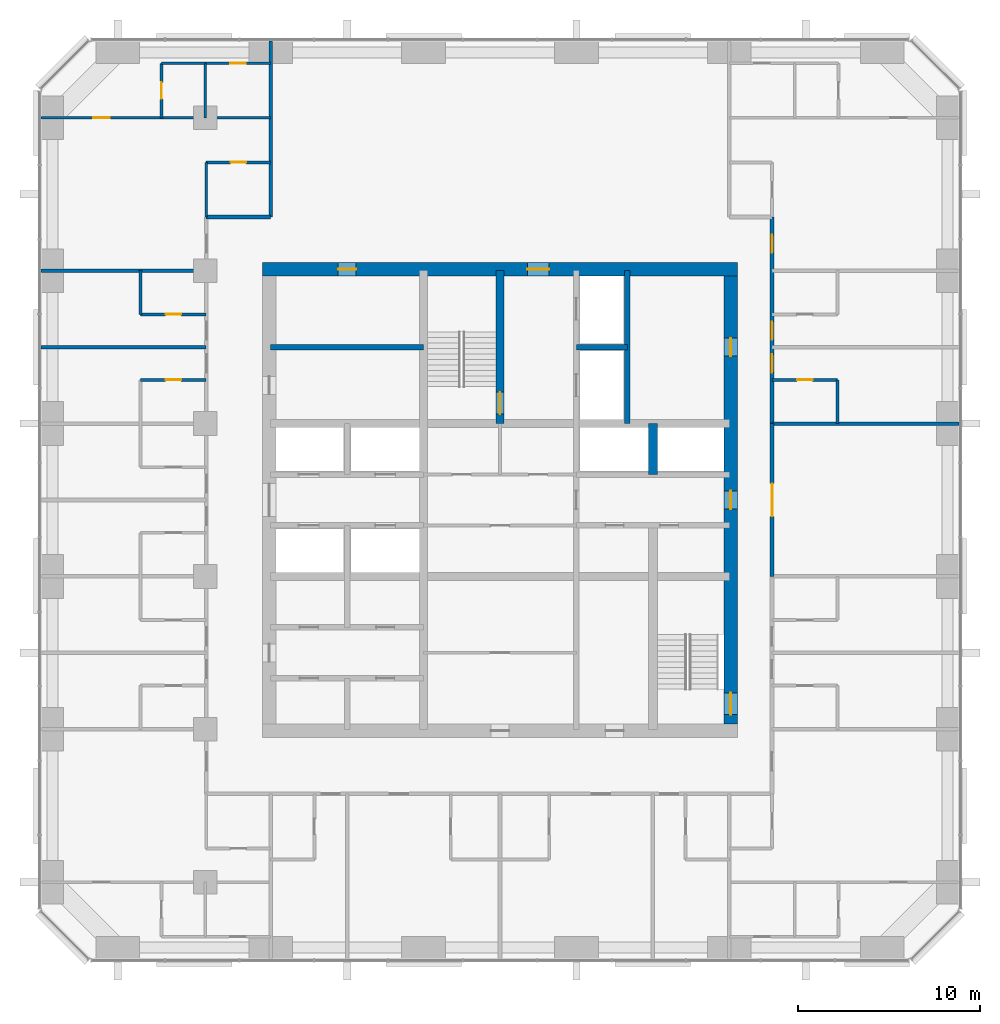
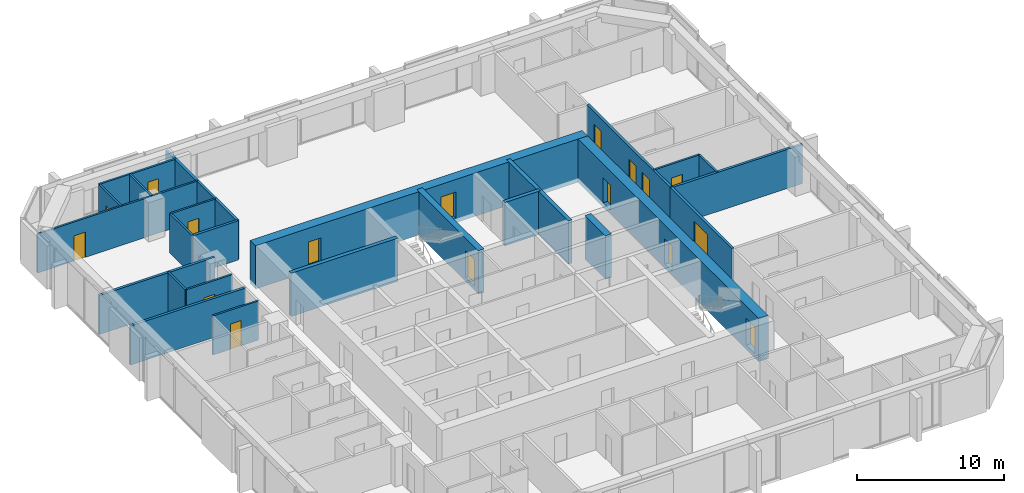
# One storey, part 11 of 13: 26 walls, 17 doors, 17 openings.
"""IFC4 building model written with IfcOpenShell, lengths in metres."""

from ifc_helpers import new_model, si_unit, direction, frame, frame_2d, origin, place, context, subcontext, project, spatial, rectangle, extrude, material, layer, layer_set, type_object, element, fill, save


model = new_model("IFC4")

# Units and contexts
model_context = context("Model", 3, precision=1e-05, world=origin(), true_north=direction((0.0, 1.0)))
body_context = subcontext(model_context, "Body", "Model", "MODEL_VIEW")
ifc_project = project(units=[si_unit("LENGTHUNIT", "METRE"), si_unit("AREAUNIT", "SQUARE_METRE"), si_unit("VOLUMEUNIT", "CUBIC_METRE"), si_unit("PLANEANGLEUNIT", "RADIAN"), si_unit("MASSUNIT", "GRAM", prefix="KILO")], contexts=[model_context])

# Site, building, storey
site_placement = place(None, origin())
site = spatial("IfcSite", under=ifc_project, at=site_placement, CompositionType="ELEMENT")
building_placement = place(site_placement, origin())
building = spatial("IfcBuilding", under=site, at=building_placement, Name="Dunama Terrace Hotel", CompositionType="ELEMENT")
storey_placement = place(building_placement, frame((0.0, 0.0, 166.199951171875)))
storey = spatial("IfcBuildingStorey", under=building, at=storey_placement, Name="L42", CompositionType="ELEMENT", Elevation=166.199951171875)

# Walls
ifc_material_1 = material(Name="Gypsum board partition", Category="masonry")
ifc_layer_1 = layer(ifc_material_1, 0.14990234375)
ifc_layer_set_1 = layer_set([ifc_layer_1], Name="Bathroom partition 150")
wall_type_1 = type_object("IfcWallType", Name="Bathroom partition 150", PredefinedType="PARTITIONING", material=ifc_layer_set_1)
wall_1_placement = place(storey_placement, frame((9.64990234375, 39.60009765625, 0.0), z_axis=(0.0, 0.0, 1.0), x_axis=(0.0, 1.0, 0.0)))
element("IfcWall", 1, at=wall_1_placement, inside=storey, type_object=wall_type_1, Name="Bathroom partition 150 L42", PredefinedType="PARTITIONING", context=body_context, shape_type="SweptSolid", body=[
    extrude(rectangle(XDim=2.39990234375, YDim=0.14990234375, at=frame_2d((1.199951171875, 0.0))), origin(), (0.0, 0.0, 1.0), 3.25),
])
wall_2_placement = place(storey_placement, frame((13.25, 44.949951171875, 0.0), z_axis=(0.0, 0.0, 1.0), x_axis=(0.0, 1.0, 0.0)))
element("IfcWall", 2, at=wall_2_placement, inside=storey, type_object=wall_type_1, Name="Bathroom partition 150 L42", PredefinedType="PARTITIONING", context=body_context, shape_type="SweptSolid", body=[
    extrude(rectangle(XDim=3.0, YDim=0.14990234375, at=frame_2d((1.5, 0.0))), origin(), (0.0, 0.0, 1.0), 3.25),
])
wall_3_placement = place(storey_placement, frame((47.949951171875, 33.60009765625, 0.0), z_axis=(0.0, 0.0, 1.0), x_axis=(0.0, 1.0, 0.0)))
element("IfcWall", 3, at=wall_3_placement, inside=storey, type_object=wall_type_1, Name="Bathroom partition 150 L42", PredefinedType="PARTITIONING", context=body_context, shape_type="SweptSolid", body=[
    extrude(rectangle(XDim=2.39990234375, YDim=0.14990234375, at=frame_2d((1.199951171875, 0.0))), origin(), (0.0, 0.0, 1.0), 3.25),
])

# Wall, opening, door
wall_4_placement = place(storey_placement, frame((9.64990234375, 36.0, 0.0), z_axis=(0.0, 0.0, 1.0), x_axis=(1.0, 0.0, 0.0)))
wall_4 = element("IfcWall", 4, at=wall_4_placement, inside=storey, type_object=wall_type_1, Name="Bathroom partition 150 L42", PredefinedType="PARTITIONING", context=body_context, shape_type="SweptSolid", body=[
    extrude(rectangle(XDim=3.60009765625, YDim=0.14990234375, at=frame_2d((1.800048828125, 0.0))), origin(), (0.0, 0.0, 1.0), 3.25),
])
opening_1_placement = place(wall_4_placement, frame((1.375, 0.0, 0.0)))
opening_1 = element("IfcOpeningElement", 5, at=opening_1_placement, cuts=wall_4, Name="Opening L42-44-035", PredefinedType="OPENING", context=body_context, shape_type="SweptSolid", body=[
    extrude(rectangle(XDim=0.85009765625, YDim=2.10009765625, at=frame_2d((0.425048828125, 1.050048828125))), frame((0.0, 0.0849609375, 0.0), z_axis=(0.0, -1.0, 0.0), x_axis=(1.0, 0.0, 0.0)), (0.0, 0.0, 1.0), 0.169921875),
])
ifc_material_2 = material(Name="Timber door with steel frame", Category="steel")
door_type_1 = type_object("IfcDoorType", Name="Bathroom door 850", OperationType="SINGLE_SWING_LEFT", PredefinedType="DOOR", material=ifc_material_2)
door_1_placement = place(opening_1_placement, frame((0.85009765625, 0.0, 0.0), z_axis=(0.0, 0.0, 1.0), x_axis=(-1.0, 0.0, 0.0)))
door_1 = element("IfcDoor", 6, at=door_1_placement, inside=storey, type_object=door_type_1, Name="Door to en-suite bathroom L42-44-035, type D2", OperationType="SINGLE_SWING_LEFT", OverallHeight=2.10009765625, OverallWidth=0.85009765625, PredefinedType="DOOR", context=body_context, shape_type="SweptSolid", body=[
    extrude(rectangle(XDim=0.85009765625, YDim=2.10009765625, at=frame_2d((0.425048828125, 1.050048828125))), frame((0.0, 0.025146484375, 0.0), z_axis=(0.0, -1.0, 0.0), x_axis=(1.0, 0.0, 0.0)), (0.0, 0.0, 1.0), 0.050048828125),
])
fill(opening_1, door_1)

wall_5_placement = place(storey_placement, frame((44.35009765625, 36.0, 0.0), z_axis=(0.0, 0.0, 1.0), x_axis=(1.0, 0.0, 0.0)))
wall_5 = element("IfcWall", 7, at=wall_5_placement, inside=storey, type_object=wall_type_1, Name="Bathroom partition 150 L42", PredefinedType="PARTITIONING", context=body_context, shape_type="SweptSolid", body=[
    extrude(rectangle(XDim=3.599853515625, YDim=0.14990234375, at=frame_2d((1.7998046875, 0.0))), origin(), (0.0, 0.0, 1.0), 3.25),
])
opening_2_placement = place(wall_5_placement, frame((1.375, 0.0, 0.0)))
opening_2 = element("IfcOpeningElement", 8, at=opening_2_placement, cuts=wall_5, Name="Opening L42-44-023", PredefinedType="OPENING", context=body_context, shape_type="SweptSolid", body=[
    extrude(rectangle(XDim=0.85009765625, YDim=2.10009765625, at=frame_2d((0.425048828125, 1.050048828125))), frame((0.0, 0.0849609375, 0.0), z_axis=(0.0, -1.0, 0.0), x_axis=(1.0, 0.0, 0.0)), (0.0, 0.0, 1.0), 0.169921875),
])
door_2_placement = place(opening_2_placement, frame((0.85009765625, 0.0, 0.0), z_axis=(0.0, 0.0, 1.0), x_axis=(-1.0, 0.0, 0.0)))
door_2 = element("IfcDoor", 9, at=door_2_placement, inside=storey, type_object=door_type_1, Name="Door to en-suite bathroom L42-44-023, type D2", OperationType="SINGLE_SWING_RIGHT", OverallHeight=2.10009765625, OverallWidth=0.85009765625, PredefinedType="DOOR", context=body_context, shape_type="SweptSolid", body=[
    extrude(rectangle(XDim=0.85009765625, YDim=2.10009765625, at=frame_2d((0.425048828125, 1.050048828125))), frame((0.0, 0.025146484375, 0.0), z_axis=(0.0, -1.0, 0.0), x_axis=(1.0, 0.0, 0.0)), (0.0, 0.0, 1.0), 0.050048828125),
])
fill(opening_2, door_2)

wall_6_placement = place(storey_placement, frame((9.64990234375, 39.60009765625, 0.0), z_axis=(0.0, 0.0, 1.0), x_axis=(1.0, 0.0, 0.0)))
wall_6 = element("IfcWall", 10, at=wall_6_placement, inside=storey, type_object=wall_type_1, Name="Bathroom partition 150 L42", PredefinedType="PARTITIONING", context=body_context, shape_type="SweptSolid", body=[
    extrude(rectangle(XDim=3.60009765625, YDim=0.14990234375, at=frame_2d((1.800048828125, 0.0))), origin(), (0.0, 0.0, 1.0), 3.25),
])
opening_3_placement = place(wall_6_placement, frame((1.375, 0.0, 0.0)))
opening_3 = element("IfcOpeningElement", 11, at=opening_3_placement, cuts=wall_6, Name="Opening L42-44-037", PredefinedType="OPENING", context=body_context, shape_type="SweptSolid", body=[
    extrude(rectangle(XDim=0.85009765625, YDim=2.10009765625, at=frame_2d((0.425048828125, 1.050048828125))), frame((0.0, 0.0849609375, 0.0), z_axis=(0.0, -1.0, 0.0), x_axis=(1.0, 0.0, 0.0)), (0.0, 0.0, 1.0), 0.169921875),
])
door_3_placement = place(opening_3_placement, origin())
door_3 = element("IfcDoor", 12, at=door_3_placement, inside=storey, type_object=door_type_1, Name="Door to en-suite bathroom L42-44-037, type D2", OperationType="SINGLE_SWING_RIGHT", OverallHeight=2.10009765625, OverallWidth=0.85009765625, PredefinedType="DOOR", context=body_context, shape_type="SweptSolid", body=[
    extrude(rectangle(XDim=0.85009765625, YDim=2.10009765625, at=frame_2d((0.425048828125, 1.050048828125))), frame((0.0, 0.02490234375, 0.0), z_axis=(0.0, -1.0, 0.0), x_axis=(1.0, 0.0, 0.0)), (0.0, 0.0, 1.0), 0.050048828125),
])
fill(opening_3, door_3)

wall_7_placement = place(storey_placement, frame((13.25, 47.949951171875, 0.0), z_axis=(0.0, 0.0, 1.0), x_axis=(1.0, 0.0, 0.0)))
wall_7 = element("IfcWall", 13, at=wall_7_placement, inside=storey, type_object=wall_type_1, Name="Bathroom partition 150 L42", PredefinedType="PARTITIONING", context=body_context, shape_type="SweptSolid", body=[
    extrude(rectangle(XDim=3.550048828125, YDim=0.14990234375, at=frame_2d((1.77490234375, 0.0))), origin(), (0.0, 0.0, 1.0), 3.25),
])
opening_4_placement = place(wall_7_placement, frame((1.35009765625, 0.0, 0.0)))
opening_4 = element("IfcOpeningElement", 14, at=opening_4_placement, cuts=wall_7, Name="Opening L42-44-054", PredefinedType="OPENING", context=body_context, shape_type="SweptSolid", body=[
    extrude(rectangle(XDim=0.85009765625, YDim=2.10009765625, at=frame_2d((0.425048828125, 1.050048828125))), frame((0.0, 0.0849609375, 0.0), z_axis=(0.0, -1.0, 0.0), x_axis=(1.0, 0.0, 0.0)), (0.0, 0.0, 1.0), 0.169921875),
])
door_4_placement = place(opening_4_placement, frame((0.85009765625, 0.0, 0.0), z_axis=(0.0, 0.0, 1.0), x_axis=(-1.0, 0.0, 0.0)))
door_4 = element("IfcDoor", 15, at=door_4_placement, inside=storey, type_object=door_type_1, Name="Door to powder room L42-44-054, type D2", OperationType="SINGLE_SWING_LEFT", OverallHeight=2.10009765625, OverallWidth=0.85009765625, PredefinedType="DOOR", context=body_context, shape_type="SweptSolid", body=[
    extrude(rectangle(XDim=0.85009765625, YDim=2.10009765625, at=frame_2d((0.425048828125, 1.050048828125))), frame((0.0, 0.025146484375, 0.0), z_axis=(0.0, -1.0, 0.0), x_axis=(1.0, 0.0, 0.0)), (0.0, 0.0, 1.0), 0.050048828125),
])
fill(opening_4, door_4)

wall_8_placement = place(storey_placement, frame((13.199951171875, 53.39990234375, 0.0), z_axis=(0.0, 0.0, 1.0), x_axis=(1.0, 0.0, 0.0)))
wall_8 = element("IfcWall", 16, at=wall_8_placement, inside=storey, type_object=wall_type_1, Name="Bathroom partition 150 L42", PredefinedType="PARTITIONING", context=body_context, shape_type="SweptSolid", body=[
    extrude(rectangle(XDim=3.60009765625, YDim=0.14990234375, at=frame_2d((1.800048828125, 0.0))), origin(), (0.0, 0.0, 1.0), 3.25),
])
opening_5_placement = place(wall_8_placement, frame((1.375, 0.0, 0.0)))
opening_5 = element("IfcOpeningElement", 17, at=opening_5_placement, cuts=wall_8, Name="Opening L42-44-056", PredefinedType="OPENING", context=body_context, shape_type="SweptSolid", body=[
    extrude(rectangle(XDim=0.85009765625, YDim=2.10009765625, at=frame_2d((0.425048828125, 1.050048828125))), frame((0.0, 0.0849609375, 0.0), z_axis=(0.0, -1.0, 0.0), x_axis=(1.0, 0.0, 0.0)), (0.0, 0.0, 1.0), 0.169921875),
])
door_5_placement = place(opening_5_placement, frame((0.85009765625, 0.0, 0.0), z_axis=(0.0, 0.0, 1.0), x_axis=(-1.0, 0.0, 0.0)))
door_5 = element("IfcDoor", 18, at=door_5_placement, inside=storey, type_object=door_type_1, Name="Door to en-suite bathroom L42-44-056, type D2", OperationType="SINGLE_SWING_LEFT", OverallHeight=2.10009765625, OverallWidth=0.85009765625, PredefinedType="DOOR", context=body_context, shape_type="SweptSolid", body=[
    extrude(rectangle(XDim=0.85009765625, YDim=2.10009765625, at=frame_2d((0.425048828125, 1.050048828125))), frame((0.0, 0.025146484375, 0.0), z_axis=(0.0, -1.0, 0.0), x_axis=(1.0, 0.0, 0.0)), (0.0, 0.0, 1.0), 0.050048828125),
])
fill(opening_5, door_5)

# Walls
ifc_material_3 = material(Name="Concrete C50/60", Category="concrete")
ifc_layer_2 = layer(ifc_material_3, 0.300048828125)
ifc_layer_set_2 = layer_set([ifc_layer_2], Name="Core inner wall 300")
wall_type_2 = type_object("IfcWallType", Name="Core inner wall 300", PredefinedType="SHEAR", material=ifc_layer_set_2)
for number, where, z_axis, x_axis, name in (
    (19, (36.39990234375, 33.60009765625, -0.349853515625), (0.0, 0.0, 1.0), (0.0, 1.0, 0.0), "Core inner wall 300 L42"),
    (20, (16.800048828125, 37.800048828125, -0.349853515625), (0.0, 0.0, 1.0), (1.0, 0.0, 0.0), "Core inner wall 300 L42"),
):
    element("IfcWall", number, at=place(storey_placement, frame(where, z_axis=z_axis, x_axis=x_axis)), inside=storey, type_object=wall_type_2, Name=name, PredefinedType="SHEAR", context=body_context, shape_type="SweptSolid", body=[
        extrude(rectangle(XDim=8.39990234375, YDim=0.300048828125, at=frame_2d((4.199951171875, 0.0))), origin(), (0.0, 0.0, 1.0), 3.599853515625),
    ])
wall_9_placement = place(storey_placement, frame((33.60009765625, 37.800048828125, -0.349853515625), z_axis=(0.0, 0.0, 1.0), x_axis=(1.0, 0.0, 0.0)))
element("IfcWall", 21, at=wall_9_placement, inside=storey, type_object=wall_type_2, Name="Core inner wall 300 L42", PredefinedType="SHEAR", context=body_context, shape_type="SweptSolid", body=[
    extrude(rectangle(XDim=2.7998046875, YDim=0.300048828125, at=frame_2d((1.39990234375, 0.0))), origin(), (0.0, 0.0, 1.0), 3.599853515625),
])

# Wall, opening, door
ifc_material_4 = material(Name="Concrete C50/60", Category="concrete")
ifc_layer_3 = layer(ifc_material_4, 0.449951171875)
ifc_layer_set_3 = layer_set([ifc_layer_3], Name="Core inner wall 450")
wall_type_3 = type_object("IfcWallType", Name="Core inner wall 450", PredefinedType="SHEAR", material=ifc_layer_set_3)
wall_10_placement = place(storey_placement, frame((29.39990234375, 33.60009765625, -0.349853515625), z_axis=(0.0, 0.0, 1.0), x_axis=(0.0, 1.0, 0.0)))
wall_10 = element("IfcWall", 22, at=wall_10_placement, inside=storey, type_object=wall_type_3, Name="Core inner wall 450 L42", PredefinedType="SHEAR", context=body_context, shape_type="SweptSolid", body=[
    extrude(rectangle(XDim=8.39990234375, YDim=0.449951171875, at=frame_2d((4.199951171875, 0.0))), origin(), (0.0, 0.0, 1.0), 3.599853515625),
])
opening_6_placement = place(wall_10_placement, frame((0.52490234375, 0.0, 0.35009765625)))
opening_6 = element("IfcOpeningElement", 23, at=opening_6_placement, cuts=wall_10, Name="Opening L42-44-001", PredefinedType="OPENING", context=body_context, shape_type="SweptSolid", body=[
    extrude(rectangle(XDim=1.199951171875, YDim=2.199951171875, at=frame_2d((0.60009765625, 1.10009765625))), frame((0.0, 0.23486328125, 0.0), z_axis=(0.0, -1.0, 0.0), x_axis=(1.0, 0.0, 0.0)), (0.0, 0.0, 1.0), 0.469970703125),
])
ifc_material_5 = material(Name="Timber door with steel frame", Category="steel")
door_type_2 = type_object("IfcDoorType", Name="Stair door 1200", OperationType="SINGLE_SWING_LEFT", PredefinedType="DOOR", material=ifc_material_5)
door_6_placement = place(opening_6_placement, origin())
door_6 = element("IfcDoor", 24, at=door_6_placement, inside=storey, type_object=door_type_2, Name="Stair door ST1 L42-44-001, type D5", OperationType="SINGLE_SWING_LEFT", OverallHeight=2.199951171875, OverallWidth=1.199951171875, PredefinedType="DOOR", context=body_context, shape_type="SweptSolid", body=[
    extrude(rectangle(XDim=1.199951171875, YDim=2.199951171875, at=frame_2d((0.60009765625, 1.10009765625))), frame((0.0, 0.02490234375, 0.0), z_axis=(0.0, -1.0, 0.0), x_axis=(1.0, 0.0, 0.0)), (0.0, 0.0, 1.0), 0.050048828125),
])
fill(opening_6, door_6)

# Wall
ifc_material_6 = material(Name="Concrete C50/60", Category="concrete")
ifc_layer_4 = layer(ifc_material_6, 0.5)
ifc_layer_set_4 = layer_set([ifc_layer_4], Name="Core inner wall 500")
wall_type_4 = type_object("IfcWallType", Name="Core inner wall 500", PredefinedType="SHEAR", material=ifc_layer_set_4)
wall_11_placement = place(storey_placement, frame((37.800048828125, 30.800048828125, -0.349853515625), z_axis=(0.0, 0.0, 1.0), x_axis=(0.0, 1.0, 0.0)))
element("IfcWall", 25, at=wall_11_placement, inside=storey, type_object=wall_type_4, Name="Core inner wall 500 L42", PredefinedType="SHEAR", context=body_context, shape_type="SweptSolid", body=[
    extrude(rectangle(XDim=2.800048828125, YDim=0.5, at=frame_2d((1.39990234375, 0.0))), origin(), (0.0, 0.0, 1.0), 3.599853515625),
])

# Wall, openings, doors
ifc_material_7 = material(Name="Concrete C60/75", Category="concrete")
ifc_layer_5 = layer(ifc_material_7, 0.75)
ifc_layer_set_5 = layer_set([ifc_layer_5], Name="Core wall 750")
wall_type_5 = type_object("IfcWallType", Name="Core wall 750", PredefinedType="SHEAR", material=ifc_layer_set_5)
wall_12_placement = place(storey_placement, frame((42.074951171875, 17.10009765625, -0.349853515625), z_axis=(0.0, 0.0, 1.0), x_axis=(0.0, 1.0, 0.0)))
wall_12 = element("IfcWall", 26, at=wall_12_placement, inside=storey, type_object=wall_type_5, Name="Core wall east L42", PredefinedType="SHEAR", context=body_context, shape_type="SweptSolid", body=[
    extrude(rectangle(XDim=24.599853515625, YDim=0.75, at=frame_2d((12.2998046875, 0.0))), origin(), (0.0, 0.0, 1.0), 3.599853515625),
])
opening_7_placement = place(wall_12_placement, frame((0.5, 0.0, 0.35009765625)))
opening_7 = element("IfcOpeningElement", 27, at=opening_7_placement, cuts=wall_12, Name="Opening L42-44-002", PredefinedType="OPENING", context=body_context, shape_type="SweptSolid", body=[
    extrude(rectangle(XDim=1.199951171875, YDim=2.199951171875, at=frame_2d((0.60009765625, 1.10009765625))), frame((0.0, 0.385009765625, 0.0), z_axis=(0.0, -1.0, 0.0), x_axis=(1.0, 0.0, 0.0)), (0.0, 0.0, 1.0), 0.77001953125),
])
opening_8_placement = place(wall_12_placement, frame((11.800048828125, 0.0, 0.35009765625)))
opening_8 = element("IfcOpeningElement", 28, at=opening_8_placement, cuts=wall_12, Name="Opening L42-44-072", PredefinedType="OPENING", context=body_context, shape_type="SweptSolid", body=[
    extrude(rectangle(XDim=1.0, YDim=2.10009765625, at=frame_2d((0.5, 1.050048828125))), frame((0.0, 0.385009765625, 0.0), z_axis=(0.0, -1.0, 0.0), x_axis=(1.0, 0.0, 0.0)), (0.0, 0.0, 1.0), 0.77001953125),
])
opening_9_placement = place(wall_12_placement, frame((20.199951171875, 0.0, 0.35009765625)))
opening_9 = element("IfcOpeningElement", 29, at=opening_9_placement, cuts=wall_12, Name="Opening L42-44-074", PredefinedType="OPENING", context=body_context, shape_type="SweptSolid", body=[
    extrude(rectangle(XDim=1.0, YDim=2.10009765625, at=frame_2d((0.5, 1.050048828125))), frame((0.0, 0.385009765625, 0.0), z_axis=(0.0, -1.0, 0.0), x_axis=(1.0, 0.0, 0.0)), (0.0, 0.0, 1.0), 0.77001953125),
])
ifc_material_8 = material(Name="Timber door with steel frame", Category="steel")
door_type_3 = type_object("IfcDoorType", Name="Service door 1000", OperationType="SINGLE_SWING_LEFT", PredefinedType="DOOR", material=ifc_material_8)
door_7_placement = place(opening_8_placement, origin())
door_7 = element("IfcDoor", 30, at=door_7_placement, inside=storey, type_object=door_type_3, Name="Door to service lobby L42-44-072, type D7", OperationType="SINGLE_SWING_RIGHT", OverallHeight=2.10009765625, OverallWidth=1.0, PredefinedType="DOOR", context=body_context, shape_type="SweptSolid", body=[
    extrude(rectangle(XDim=1.0, YDim=2.10009765625, at=frame_2d((0.5, 1.050048828125))), frame((0.0, 0.02490234375, 0.0), z_axis=(0.0, -1.0, 0.0), x_axis=(1.0, 0.0, 0.0)), (0.0, 0.0, 1.0), 0.050048828125),
])
fill(opening_8, door_7)
door_8_placement = place(opening_9_placement, origin())
door_8 = element("IfcDoor", 31, at=door_8_placement, inside=storey, type_object=door_type_3, Name="Door to ice and vending room L42-44-074, type D7", OperationType="SINGLE_SWING_LEFT", OverallHeight=2.10009765625, OverallWidth=1.0, PredefinedType="DOOR", context=body_context, shape_type="SweptSolid", body=[
    extrude(rectangle(XDim=1.0, YDim=2.10009765625, at=frame_2d((0.5, 1.050048828125))), frame((0.0, 0.02490234375, 0.0), z_axis=(0.0, -1.0, 0.0), x_axis=(1.0, 0.0, 0.0)), (0.0, 0.0, 1.0), 0.050048828125),
])
fill(opening_9, door_8)
door_9_placement = place(opening_7_placement, origin())
door_9 = element("IfcDoor", 32, at=door_9_placement, inside=storey, type_object=door_type_2, Name="Stair door ST2 L42-44-002, type D5", OperationType="SINGLE_SWING_LEFT", OverallHeight=2.199951171875, OverallWidth=1.199951171875, PredefinedType="DOOR", context=body_context, shape_type="SweptSolid", body=[
    extrude(rectangle(XDim=1.199951171875, YDim=2.199951171875, at=frame_2d((0.60009765625, 1.10009765625))), frame((0.0, 0.02490234375, 0.0), z_axis=(0.0, -1.0, 0.0), x_axis=(1.0, 0.0, 0.0)), (0.0, 0.0, 1.0), 0.050048828125),
])
fill(opening_7, door_9)

wall_13_placement = place(storey_placement, frame((42.449951171875, 42.074951171875, -0.349853515625), z_axis=(0.0, 0.0, 1.0), x_axis=(-1.0, 0.0, 0.0)))
wall_13 = element("IfcWall", 33, at=wall_13_placement, inside=storey, type_object=wall_type_5, Name="Core wall north L42", PredefinedType="SHEAR", context=body_context, shape_type="SweptSolid", body=[
    extrude(rectangle(XDim=26.099853515625, YDim=0.75, at=frame_2d((13.0498046875, 0.0))), origin(), (0.0, 0.0, 1.0), 3.599853515625),
])
opening_10_placement = place(wall_13_placement, frame((20.949951171875, 0.0, 0.35009765625)))
opening_10 = element("IfcOpeningElement", 34, at=opening_10_placement, cuts=wall_13, Name="Opening L42-44-065", PredefinedType="OPENING", context=body_context, shape_type="SweptSolid", body=[
    extrude(rectangle(XDim=1.0, YDim=2.10009765625, at=frame_2d((0.5, 1.050048828125))), frame((0.0, 0.385009765625, 0.0), z_axis=(0.0, -1.0, 0.0), x_axis=(1.0, 0.0, 0.0)), (0.0, 0.0, 1.0), 0.77001953125),
])
opening_11_placement = place(wall_13_placement, frame((10.35009765625, 0.0, 0.35009765625)))
opening_11 = element("IfcOpeningElement", 35, at=opening_11_placement, cuts=wall_13, Name="Opening L42-44-073", PredefinedType="OPENING", context=body_context, shape_type="SweptSolid", body=[
    extrude(rectangle(XDim=1.199951171875, YDim=2.199951171875, at=frame_2d((0.60009765625, 1.10009765625))), frame((0.0, 0.385009765625, 0.0), z_axis=(0.0, -1.0, 0.0), x_axis=(1.0, 0.0, 0.0)), (0.0, 0.0, 1.0), 0.77001953125),
])
ifc_material_9 = material(Name="Timber door with steel frame", Category="steel")
door_type_4 = type_object("IfcDoorType", Name="Firefighting lobby door 1200", OperationType="SINGLE_SWING_LEFT", PredefinedType="DOOR", material=ifc_material_9)
door_10_placement = place(opening_11_placement, origin())
door_10 = element("IfcDoor", 36, at=door_10_placement, inside=storey, type_object=door_type_4, Name="Door to firefighting lobby L42-44-073, type D4", OperationType="SINGLE_SWING_RIGHT", OverallHeight=2.199951171875, OverallWidth=1.199951171875, PredefinedType="DOOR", context=body_context, shape_type="SweptSolid", body=[
    extrude(rectangle(XDim=1.199951171875, YDim=2.199951171875, at=frame_2d((0.60009765625, 1.10009765625))), frame((0.0, 0.02490234375, 0.0), z_axis=(0.0, -1.0, 0.0), x_axis=(1.0, 0.0, 0.0)), (0.0, 0.0, 1.0), 0.050048828125),
])
fill(opening_11, door_10)
door_11_placement = place(opening_10_placement, origin())
door_11 = element("IfcDoor", 37, at=door_11_placement, inside=storey, type_object=door_type_3, Name="Door to communications and riser room L42-44-065, type D7", OperationType="SINGLE_SWING_LEFT", OverallHeight=2.10009765625, OverallWidth=1.0, PredefinedType="DOOR", context=body_context, shape_type="SweptSolid", body=[
    extrude(rectangle(XDim=1.0, YDim=2.10009765625, at=frame_2d((0.5, 1.050048828125))), frame((0.0, 0.02490234375, 0.0), z_axis=(0.0, -1.0, 0.0), x_axis=(1.0, 0.0, 0.0)), (0.0, 0.0, 1.0), 0.050048828125),
])
fill(opening_10, door_11)

# Wall
ifc_material_10 = material(Name="Concrete blockwork", Category="masonry")
ifc_layer_6 = layer(ifc_material_10, 0.199951171875)
ifc_layer_set_6 = layer_set([ifc_layer_6], Name="Corridor partition 200")
wall_type_6 = type_object("IfcWallType", Name="Corridor partition 200", PredefinedType="PARTITIONING", material=ifc_layer_set_6)
wall_14_placement = place(storey_placement, frame((16.800048828125, 44.949951171875, 0.0), z_axis=(0.0, 0.0, 1.0), x_axis=(0.0, 1.0, 0.0)))
element("IfcWall", 38, at=wall_14_placement, inside=storey, type_object=wall_type_6, Name="Corridor partition 200 L42", PredefinedType="PARTITIONING", context=body_context, shape_type="SweptSolid", body=[
    extrude(rectangle(XDim=9.66796875, YDim=0.199951171875, at=frame_2d((4.833984375, 0.0))), origin(), (0.0, 0.0, 1.0), 3.25),
])

# Wall, opening, door
wall_15_placement = place(storey_placement, frame((44.35009765625, 25.199951171875, 0.0), z_axis=(0.0, 0.0, 1.0), x_axis=(0.0, 1.0, 0.0)))
wall_15 = element("IfcWall", 39, at=wall_15_placement, inside=storey, type_object=wall_type_6, Name="Corridor partition 200 L42", PredefinedType="PARTITIONING", context=body_context, shape_type="SweptSolid", body=[
    extrude(rectangle(XDim=8.400146484375, YDim=0.199951171875, at=frame_2d((4.2001953125, 0.0))), origin(), (0.0, 0.0, 1.0), 3.25),
])
opening_12_placement = place(wall_15_placement, frame((3.300048828125, 0.0, 0.0)))
opening_12 = element("IfcOpeningElement", 40, at=opening_12_placement, cuts=wall_15, Name="Opening L42-44-021", PredefinedType="OPENING", context=body_context, shape_type="SweptSolid", body=[
    extrude(rectangle(XDim=1.800048828125, YDim=2.39990234375, at=frame_2d((0.89990234375, 1.199951171875))), frame((0.0, 0.10986328125, 0.0), z_axis=(0.0, -1.0, 0.0), x_axis=(1.0, 0.0, 0.0)), (0.0, 0.0, 1.0), 0.219970703125),
])
ifc_material_11 = material(Name="Aluminium-framed glazed door", Category="aluminium")
door_type_5 = type_object("IfcDoorType", Name="Glazed double door 1800", OperationType="DOUBLE_DOOR_DOUBLE_SWING", PredefinedType="DOOR", material=ifc_material_11)
door_12_placement = place(opening_12_placement, origin())
door_12 = element("IfcDoor", 41, at=door_12_placement, inside=storey, type_object=door_type_5, Name="Door to boardroom L42-44-021, type D8", OperationType="DOUBLE_DOOR_DOUBLE_SWING", OverallHeight=2.39990234375, OverallWidth=1.800048828125, PredefinedType="DOOR", context=body_context, shape_type="SweptSolid", body=[
    extrude(rectangle(XDim=1.800048828125, YDim=2.39990234375, at=frame_2d((0.89990234375, 1.199951171875))), frame((0.0, 0.02490234375, 0.0), z_axis=(0.0, -1.0, 0.0), x_axis=(1.0, 0.0, 0.0)), (0.0, 0.0, 1.0), 0.050048828125),
])
fill(opening_12, door_12)

# Wall
wall_16_placement = place(storey_placement, frame((13.25, 44.949951171875, 0.0), z_axis=(0.0, 0.0, 1.0), x_axis=(1.0, 0.0, 0.0)))
element("IfcWall", 42, at=wall_16_placement, inside=storey, type_object=wall_type_6, Name="Corridor partition 200 L42", PredefinedType="PARTITIONING", context=body_context, shape_type="SweptSolid", body=[
    extrude(rectangle(XDim=3.550048828125, YDim=0.199951171875, at=frame_2d((1.77490234375, 0.0))), origin(), (0.0, 0.0, 1.0), 3.25),
])

# Wall, openings, doors
wall_17_placement = place(storey_placement, frame((44.35009765625, 44.949951171875, 0.0), z_axis=(0.0, 0.0, 1.0), x_axis=(0.0, -1.0, 0.0)))
wall_17 = element("IfcWall", 43, at=wall_17_placement, inside=storey, type_object=wall_type_6, Name="Corridor partition 200 L42", PredefinedType="PARTITIONING", context=body_context, shape_type="SweptSolid", body=[
    extrude(rectangle(XDim=11.349853515625, YDim=0.199951171875, at=frame_2d((5.6748046875, 0.0))), origin(), (0.0, 0.0, 1.0), 3.25),
])
opening_13_placement = place(wall_17_placement, frame((7.550048828125, 0.0, 0.0)))
opening_13 = element("IfcOpeningElement", 44, at=opening_13_placement, cuts=wall_17, Name="Opening L42-44-022", PredefinedType="OPENING", context=body_context, shape_type="SweptSolid", body=[
    extrude(rectangle(XDim=1.0, YDim=2.199951171875, at=frame_2d((0.5, 1.10009765625))), frame((0.0, 0.10986328125, 0.0), z_axis=(0.0, -1.0, 0.0), x_axis=(1.0, 0.0, 0.0)), (0.0, 0.0, 1.0), 0.219970703125),
])
opening_14_placement = place(wall_17_placement, frame((5.75, 0.0, 0.0)))
opening_14 = element("IfcOpeningElement", 45, at=opening_14_placement, cuts=wall_17, Name="Opening L42-44-024", PredefinedType="OPENING", context=body_context, shape_type="SweptSolid", body=[
    extrude(rectangle(XDim=1.0, YDim=2.199951171875, at=frame_2d((0.5, 1.10009765625))), frame((0.0, 0.10986328125, 0.0), z_axis=(0.0, -1.0, 0.0), x_axis=(1.0, 0.0, 0.0)), (0.0, 0.0, 1.0), 0.219970703125),
])
opening_15_placement = place(wall_17_placement, frame((0.97509765625, 0.0, 0.0)))
opening_15 = element("IfcOpeningElement", 46, at=opening_15_placement, cuts=wall_17, Name="Opening L42-44-048", PredefinedType="OPENING", context=body_context, shape_type="SweptSolid", body=[
    extrude(rectangle(XDim=1.0, YDim=2.199951171875, at=frame_2d((0.5, 1.10009765625))), frame((0.0, 0.10986328125, 0.0), z_axis=(0.0, -1.0, 0.0), x_axis=(1.0, 0.0, 0.0)), (0.0, 0.0, 1.0), 0.219970703125),
])
ifc_material_12 = material(Name="Timber door with steel frame", Category="steel")
door_type_6 = type_object("IfcDoorType", Name="Guest room door 1000", OperationType="SINGLE_SWING_LEFT", PredefinedType="DOOR", material=ifc_material_12)
door_13_placement = place(opening_13_placement, origin())
door_13 = element("IfcDoor", 47, at=door_13_placement, inside=storey, type_object=door_type_6, Name="Door to club room L42-44-022, type D1", OperationType="SINGLE_SWING_LEFT", OverallHeight=2.199951171875, OverallWidth=1.0, PredefinedType="DOOR", context=body_context, shape_type="SweptSolid", body=[
    extrude(rectangle(XDim=1.0, YDim=2.199951171875, at=frame_2d((0.5, 1.10009765625))), frame((0.0, 0.02490234375, 0.0), z_axis=(0.0, -1.0, 0.0), x_axis=(1.0, 0.0, 0.0)), (0.0, 0.0, 1.0), 0.050048828125),
])
fill(opening_13, door_13)
door_14_placement = place(opening_14_placement, origin())
door_14 = element("IfcDoor", 48, at=door_14_placement, inside=storey, type_object=door_type_6, Name="Door to club room L42-44-024, type D1", OperationType="SINGLE_SWING_RIGHT", OverallHeight=2.199951171875, OverallWidth=1.0, PredefinedType="DOOR", context=body_context, shape_type="SweptSolid", body=[
    extrude(rectangle(XDim=1.0, YDim=2.199951171875, at=frame_2d((0.5, 1.10009765625))), frame((0.0, 0.02490234375, 0.0), z_axis=(0.0, -1.0, 0.0), x_axis=(1.0, 0.0, 0.0)), (0.0, 0.0, 1.0), 0.050048828125),
])
fill(opening_14, door_14)
door_15_placement = place(opening_15_placement, origin())
door_15 = element("IfcDoor", 49, at=door_15_placement, inside=storey, type_object=door_type_6, Name="Door to corner suite living room L42-44-048, type D1", OperationType="SINGLE_SWING_RIGHT", OverallHeight=2.199951171875, OverallWidth=1.0, PredefinedType="DOOR", context=body_context, shape_type="SweptSolid", body=[
    extrude(rectangle(XDim=1.0, YDim=2.199951171875, at=frame_2d((0.5, 1.10009765625))), frame((0.0, 0.02490234375, 0.0), z_axis=(0.0, -1.0, 0.0), x_axis=(1.0, 0.0, 0.0)), (0.0, 0.0, 1.0), 0.050048828125),
])
fill(opening_15, door_15)

# Walls
ifc_material_13 = material(Name="Concrete blockwork", Category="masonry")
ifc_layer_7 = layer(ifc_material_13, 0.199951171875)
ifc_layer_set_7 = layer_set([ifc_layer_7], Name="Party wall 200")
wall_type_7 = type_object("IfcWallType", Name="Party wall 200", PredefinedType="PARTITIONING", material=ifc_layer_set_7)
wall_18_placement = place(storey_placement, frame((44.35009765625, 33.60009765625, 0.0), z_axis=(0.0, 0.0, 1.0), x_axis=(1.0, 0.0, 0.0)))
element("IfcWall", 50, at=wall_18_placement, inside=storey, type_object=wall_type_7, Name="Party wall 200 L42", PredefinedType="PARTITIONING", context=body_context, shape_type="SweptSolid", body=[
    extrude(rectangle(XDim=10.267822265625, YDim=0.199951171875, at=frame_2d((5.1337890625, 0.0))), origin(), (0.0, 0.0, 1.0), 3.25),
])
for number, where, z_axis, x_axis, name in (
    (51, (4.181884765625, 37.800048828125, 0.0), (0.0, 0.0, 1.0), (1.0, 0.0, 0.0), "Party wall 200 L42"),
    (52, (4.181884765625, 42.0, 0.0), (0.0, 0.0, 1.0), (1.0, 0.0, 0.0), "Party wall 200 L42"),
):
    element("IfcWall", number, at=place(storey_placement, frame(where, z_axis=z_axis, x_axis=x_axis)), inside=storey, type_object=wall_type_7, Name=name, PredefinedType="PARTITIONING", context=body_context, shape_type="SweptSolid", body=[
        extrude(rectangle(XDim=9.068115234375, YDim=0.199951171875, at=frame_2d((4.5341796875, 0.0))), origin(), (0.0, 0.0, 1.0), 3.25),
    ])

# Wall, opening, door
ifc_material_14 = material(Name="Gypsum board partition", Category="masonry")
ifc_layer_8 = layer(ifc_material_14, 0.14990234375)
ifc_layer_set_8 = layer_set([ifc_layer_8], Name="Room partition 150")
wall_type_8 = type_object("IfcWallType", Name="Room partition 150", PredefinedType="PARTITIONING", material=ifc_layer_set_8)
wall_19_placement = place(storey_placement, frame((10.800048828125, 50.39990234375, 0.0), z_axis=(0.0, 0.0, 1.0), x_axis=(0.0, 1.0, 0.0)))
wall_19 = element("IfcWall", 53, at=wall_19_placement, inside=storey, type_object=wall_type_8, Name="Room partition 150 L42", PredefinedType="PARTITIONING", context=body_context, shape_type="SweptSolid", body=[
    extrude(rectangle(XDim=3.0, YDim=0.14990234375, at=frame_2d((1.5, 0.0))), origin(), (0.0, 0.0, 1.0), 3.25),
])
opening_16_placement = place(wall_19_placement, frame((1.050048828125, 0.0, 0.0)))
opening_16 = element("IfcOpeningElement", 54, at=opening_16_placement, cuts=wall_19, Name="Opening L42-44-057", PredefinedType="OPENING", context=body_context, shape_type="SweptSolid", body=[
    extrude(rectangle(XDim=0.89990234375, YDim=2.10009765625, at=frame_2d((0.449951171875, 1.050048828125))), frame((0.0, 0.0849609375, 0.0), z_axis=(0.0, -1.0, 0.0), x_axis=(1.0, 0.0, 0.0)), (0.0, 0.0, 1.0), 0.169921875),
])
ifc_material_15 = material(Name="Timber door with steel frame", Category="steel")
door_type_7 = type_object("IfcDoorType", Name="Suite internal door 900", OperationType="SINGLE_SWING_LEFT", PredefinedType="DOOR", material=ifc_material_15)
door_16_placement = place(opening_16_placement, frame((0.89990234375, 0.0, 0.0), z_axis=(0.0, 0.0, 1.0), x_axis=(-1.0, 0.0, 0.0)))
door_16 = element("IfcDoor", 55, at=door_16_placement, inside=storey, type_object=door_type_7, Name="Door to dressing room L42-44-057, type D16", OperationType="SINGLE_SWING_RIGHT", OverallHeight=2.10009765625, OverallWidth=0.89990234375, PredefinedType="DOOR", context=body_context, shape_type="SweptSolid", body=[
    extrude(rectangle(XDim=0.89990234375, YDim=2.10009765625, at=frame_2d((0.449951171875, 1.050048828125))), frame((0.0, 0.025146484375, 0.0), z_axis=(0.0, -1.0, 0.0), x_axis=(1.0, 0.0, 0.0)), (0.0, 0.0, 1.0), 0.050048828125),
])
fill(opening_16, door_16)

# Wall
wall_20_placement = place(storey_placement, frame((13.199951171875, 50.39990234375, 0.0), z_axis=(0.0, 0.0, 1.0), x_axis=(0.0, 1.0, 0.0)))
element("IfcWall", 56, at=wall_20_placement, inside=storey, type_object=wall_type_8, Name="Room partition 150 L42", PredefinedType="PARTITIONING", context=body_context, shape_type="SweptSolid", body=[
    extrude(rectangle(XDim=3.0, YDim=0.14990234375, at=frame_2d((1.5, 0.0))), origin(), (0.0, 0.0, 1.0), 3.25),
])

# Wall, opening, door
wall_21_placement = place(storey_placement, frame((4.181884765625, 50.39990234375, 0.0), z_axis=(0.0, 0.0, 1.0), x_axis=(1.0, 0.0, 0.0)))
wall_21 = element("IfcWall", 57, at=wall_21_placement, inside=storey, type_object=wall_type_8, Name="Room partition 150 L42", PredefinedType="PARTITIONING", context=body_context, shape_type="SweptSolid", body=[
    extrude(rectangle(XDim=12.6181640625, YDim=0.14990234375, at=frame_2d((6.30908203125, 0.0))), origin(), (0.0, 0.0, 1.0), 3.25),
])
opening_17_placement = place(wall_21_placement, frame((2.867919921875, 0.0, 0.0)))
opening_17 = element("IfcOpeningElement", 58, at=opening_17_placement, cuts=wall_21, Name="Opening L42-44-055", PredefinedType="OPENING", context=body_context, shape_type="SweptSolid", body=[
    extrude(rectangle(XDim=0.89990234375, YDim=2.10009765625, at=frame_2d((0.449951171875, 1.050048828125))), frame((0.0, 0.0849609375, 0.0), z_axis=(0.0, -1.0, 0.0), x_axis=(1.0, 0.0, 0.0)), (0.0, 0.0, 1.0), 0.169921875),
])
door_17_placement = place(opening_17_placement, origin())
door_17 = element("IfcDoor", 59, at=door_17_placement, inside=storey, type_object=door_type_7, Name="Door to corner suite bedroom L42-44-055, type D16", OperationType="SINGLE_SWING_LEFT", OverallHeight=2.10009765625, OverallWidth=0.89990234375, PredefinedType="DOOR", context=body_context, shape_type="SweptSolid", body=[
    extrude(rectangle(XDim=0.89990234375, YDim=2.10009765625, at=frame_2d((0.449951171875, 1.050048828125))), frame((0.0, 0.02490234375, 0.0), z_axis=(0.0, -1.0, 0.0), x_axis=(1.0, 0.0, 0.0)), (0.0, 0.0, 1.0), 0.050048828125),
])
fill(opening_17, door_17)

# Wall
wall_22_placement = place(storey_placement, frame((10.800048828125, 53.39990234375, 0.0), z_axis=(0.0, 0.0, 1.0), x_axis=(1.0, 0.0, 0.0)))
element("IfcWall", 60, at=wall_22_placement, inside=storey, type_object=wall_type_8, Name="Room partition 150 L42", PredefinedType="PARTITIONING", context=body_context, shape_type="SweptSolid", body=[
    extrude(rectangle(XDim=2.39990234375, YDim=0.14990234375, at=frame_2d((1.199951171875, 0.0))), origin(), (0.0, 0.0, 1.0), 3.25),
])

save(model, "model.ifc")
